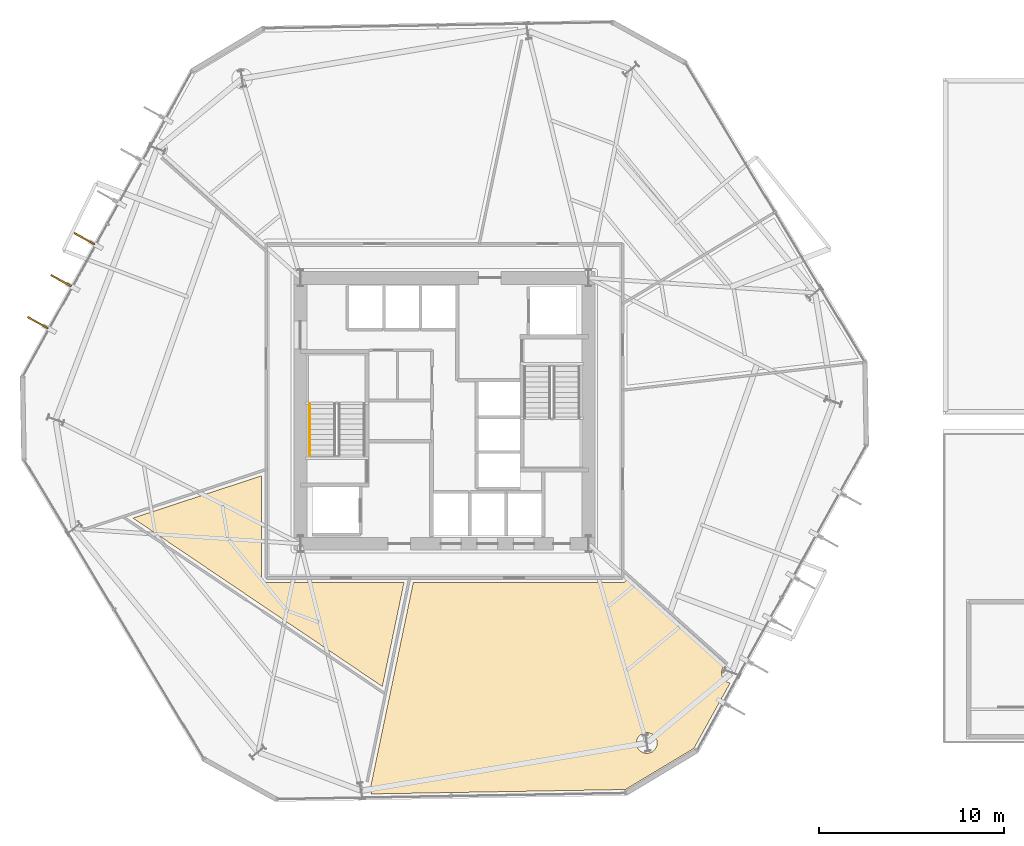
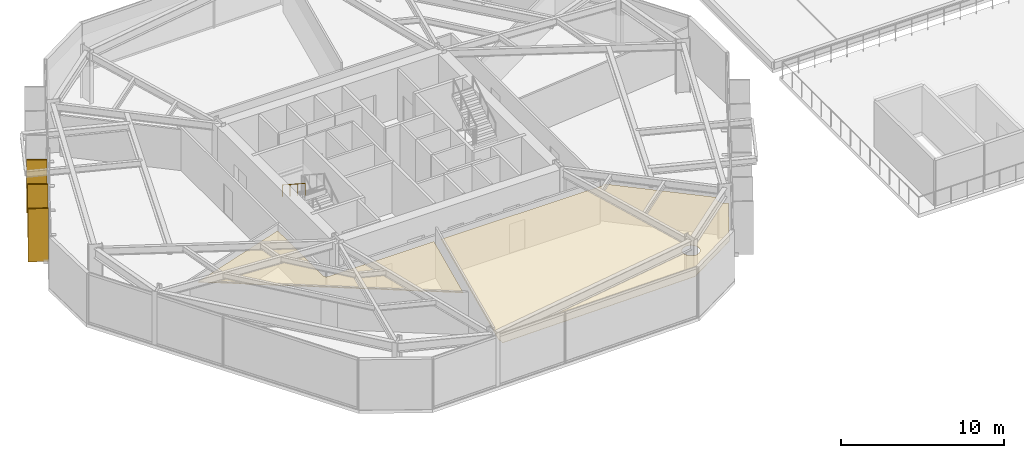
# One storey, part 9 of 11: 5 coverings, 3 shading devices, 1 railing.
"""IFC4 building model written with IfcOpenShell, lengths in metres."""

from ifc_helpers import new_model, si_unit, direction, frame, origin, origin_2d, place, context, subcontext, project, spatial, polyline, rectangle, circle, outline, extrude, material, layer, layer_set, type_object, element, save


model = new_model("IFC4")

# Units and contexts
model_context = context("Model", 3, precision=1e-05, world=origin(), true_north=direction((0.0, 1.0)))
body_context = subcontext(model_context, "Body", "Model", "MODEL_VIEW")
ifc_project = project(units=[si_unit("LENGTHUNIT", "METRE"), si_unit("AREAUNIT", "SQUARE_METRE"), si_unit("VOLUMEUNIT", "CUBIC_METRE"), si_unit("PLANEANGLEUNIT", "RADIAN"), si_unit("MASSUNIT", "GRAM", prefix="KILO")], contexts=[model_context])

# Site, building, storey
site_placement = place(None, origin())
site = spatial("IfcSite", under=ifc_project, at=site_placement, CompositionType="ELEMENT")
building_placement = place(site_placement, origin())
building = spatial("IfcBuilding", under=site, at=building_placement, Name="Kranzbogen Civic Tower", CompositionType="ELEMENT")
storey_placement = place(building_placement, frame((0.0, 0.0, 24.0)))
storey = spatial("IfcBuildingStorey", under=building, at=storey_placement, Name="L05", CompositionType="ELEMENT", Elevation=24.0)

# Coverings
ifc_material_1 = material(Name="Pale Anodised Aluminium", Category="aluminium")
ifc_layer_1 = layer(ifc_material_1, 0.02490234375, Name="Pale Anodised Aluminium")
ifc_layer_set_1 = layer_set([ifc_layer_1], Name="Pale Anodised Aluminium")
covering_type_1 = type_object("IfcCoveringType", Name="Anodised Aluminium Vertical Fin Cladding 25 mm", PredefinedType="CLADDING", material=ifc_layer_set_1)
for number, where, z_axis, x_axis, name in (
    (1, (5.5, 34.322998046875, -0.139892578125), (0.0, 0.0, 1.0), (-0.874619707139, 0.484809620246, 0.0), "L05 vertical fin pale-metal cladding F3-4"),
    (2, (4.239013671875, 32.049072265625, -0.139892578125), (0.0, 0.0, 1.0), (-0.874619707139, 0.484809620246, 0.0), "L05 vertical fin pale-metal cladding F3-5"),
    (3, (2.97900390625, 29.77490234375, -0.139892578125), (0.0, 0.0, 1.0), (-0.874619707139, 0.484809620246, 0.0), "L05 vertical fin pale-metal cladding F3-6"),
):
    element("IfcCovering", number, at=place(storey_placement, frame(where, z_axis=z_axis, x_axis=x_axis)), inside=storey, type_object=covering_type_1, Name=name, PredefinedType="CLADDING", context=body_context, shape_type="SweptSolid", body=[
        extrude(rectangle(XDim=1.25, YDim=0.10009765625, at=origin_2d()), origin(), (0.0, 0.0, 1.0), 3.9599609375),
    ])

# Shading devices
ifc_material_2 = material(Name="Anodised Bronze Aluminium", Category="aluminium")
shading_device_type = type_object("IfcShadingDeviceType", Name="Anodised Bronze Vertical Facade Fin 1250x80", PredefinedType="USERDEFINED", material=ifc_material_2)
for number, where, z_axis, x_axis, name in (
    (4, (5.5, 34.322998046875, -0.139892578125), (0.0, 0.0, 1.0), (-0.874619707139, 0.484809620246, 0.0), "L05 vertical exterior shading fin F3-4"),
    (5, (4.239013671875, 32.049072265625, -0.139892578125), (0.0, 0.0, 1.0), (-0.874619707139, 0.484809620246, 0.0), "L05 vertical exterior shading fin F3-5"),
    (6, (2.97900390625, 29.77490234375, -0.139892578125), (0.0, 0.0, 1.0), (-0.874619707139, 0.484809620246, 0.0), "L05 vertical exterior shading fin F3-6"),
):
    element("IfcShadingDevice", number, at=place(storey_placement, frame(where, z_axis=z_axis, x_axis=x_axis)), inside=storey, type_object=shading_device_type, Name=name, ObjectType="FIN", PredefinedType="USERDEFINED", context=body_context, shape_type="SweptSolid", body=[
        extrude(rectangle(XDim=1.25, YDim=0.080078125, at=origin_2d()), origin(), (0.0, 0.0, 1.0), 3.9599609375),
    ])

# Coverings
ifc_material_3 = material(Name="Perforated Acoustic Gypsum Ceiling")
ifc_layer_2 = layer(ifc_material_3, 0.02490234375, Name="Perforated Acoustic Gypsum Ceiling")
ifc_layer_set_2 = layer_set([ifc_layer_2], Name="Perforated Acoustic Gypsum Ceiling")
covering_type_2 = type_object("IfcCoveringType", Name="Perforated Acoustic Mineral Ceiling Tile 25 mm", PredefinedType="CEILING", material=ifc_layer_set_2)
covering_1_placement = place(storey_placement, frame((0.0, 0.0, 2.89990234375)))
element("IfcCovering", 7, at=covering_1_placement, inside=storey, type_object=covering_type_2, Name="L05 Ministerial Policy Office acoustic ceiling", PredefinedType="CEILING", context=body_context, shape_type="SweptSolid", body=[
    extrude(outline(polyline([(15.10498046875, 15.949951171875), (15.10498046875, 15.94091796875), (15.10595703125, 15.93505859375), (15.10693359375, 15.9169921875), (15.10791015625, 15.910888671875), (15.112060546875, 15.89404296875), (15.113037109375, 15.886962890625), (15.117919921875, 15.8701171875), (15.1201171875, 15.864013671875), (15.126953125, 15.847900390625), (15.1298828125, 15.842041015625), (15.137939453125, 15.826904296875), (15.14208984375, 15.821044921875), (15.15087890625, 15.806884765625), (15.155029296875, 15.802001953125), (15.166015625, 15.7880859375), (15.1708984375, 15.782958984375), (15.18310546875, 15.77099609375), (15.18798828125, 15.76611328125), (15.201904296875, 15.7548828125), (15.20703125, 15.7509765625), (15.220947265625, 15.741943359375), (15.22705078125, 15.738037109375), (15.241943359375, 15.72998046875), (15.248046875, 15.72705078125), (15.263916015625, 15.719970703125), (15.27001953125, 15.718017578125), (15.287109375, 15.712890625), (15.2939453125, 15.7119140625), (15.31103515625, 15.7080078125), (15.31689453125, 15.70703125), (15.3349609375, 15.7060546875), (15.341064453125, 15.705078125), (15.35009765625, 15.705078125), (22.81103515625, 15.705078125), (21.635986328125, 10.070068359375), (8.134033203125, 19.18994140625), (15.10498046875, 21.485107421875), (15.10498046875, 15.949951171875)])), origin(), (0.0, 0.0, 1.0), 0.025146484375),
])
covering_2_placement = place(storey_placement, frame((0.0, 0.0, 2.89990234375)))
element("IfcCovering", 8, at=covering_2_placement, inside=storey, type_object=covering_type_2, Name="L05 Legal Counsel Office acoustic ceiling", PredefinedType="CEILING", context=body_context, shape_type="SweptSolid", body=[
    extrude(outline(polyline([(40.126953125, 11.156005859375), (40.10205078125, 11.1220703125), (40.073974609375, 11.074951171875), (40.050048828125, 11.02490234375), (40.031982421875, 10.972900390625), (40.01806640625, 10.919921875), (40.010009765625, 10.865966796875), (40.008056640625, 10.81103515625), (40.010009765625, 10.756103515625), (40.01806640625, 10.701904296875), (40.031982421875, 10.64892578125), (40.050048828125, 10.596923828125), (40.073974609375, 10.547119140625), (40.10205078125, 10.5), (40.135009765625, 10.4560546875), (40.1708984375, 10.4150390625), (40.2119140625, 10.37890625), (40.256103515625, 10.345947265625), (40.302978515625, 10.318115234375), (40.35302734375, 10.2939453125), (40.405029296875, 10.27587890625), (40.4580078125, 10.261962890625), (40.468994140625, 10.260986328125), (38.507080078125, 6.720947265625), (34.798095703125, 4.491943359375), (21.027099609375, 4.251953125), (21.030029296875, 4.261962890625), (21.0439453125, 4.31494140625), (21.052001953125, 4.368896484375), (21.053955078125, 4.424072265625), (21.052001953125, 4.47900390625), (21.0439453125, 4.532958984375), (21.030029296875, 4.5859375), (21.011962890625, 4.637939453125), (21.007080078125, 4.64892578125), (23.31201171875, 15.705078125), (34.64990234375, 15.705078125), (34.658935546875, 15.705078125), (34.6650390625, 15.7060546875), (34.68310546875, 15.70703125), (34.68896484375, 15.7080078125), (34.7060546875, 15.7119140625), (34.712890625, 15.712890625), (34.72998046875, 15.718017578125), (34.736083984375, 15.719970703125), (34.751953125, 15.72705078125), (34.758056640625, 15.72998046875), (34.77294921875, 15.738037109375), (34.779052734375, 15.741943359375), (34.79296875, 15.7509765625), (34.798095703125, 15.7548828125), (34.81201171875, 15.76611328125), (34.81689453125, 15.77099609375), (34.8291015625, 15.782958984375), (34.833984375, 15.7880859375), (34.844970703125, 15.802001953125), (34.84912109375, 15.806884765625), (34.85791015625, 15.821044921875), (34.862060546875, 15.826904296875), (34.8701171875, 15.842041015625), (34.873046875, 15.847900390625), (34.8740234375, 15.85009765625), (40.126953125, 11.156005859375)]), holes=[polyline([(36.47509765625, 6.798095703125), (36.450927734375, 6.748046875), (36.423095703125, 6.700927734375), (36.389892578125, 6.656982421875), (36.35400390625, 6.615966796875), (36.31298828125, 6.580078125), (36.26904296875, 6.547119140625), (36.221923828125, 6.51904296875), (36.172119140625, 6.4951171875), (36.1201171875, 6.47705078125), (36.06689453125, 6.462890625), (36.012939453125, 6.455078125), (35.9580078125, 6.452880859375), (35.903076171875, 6.455078125), (35.84912109375, 6.462890625), (35.7958984375, 6.47705078125), (35.743896484375, 6.4951171875), (35.694091796875, 6.51904296875), (35.64697265625, 6.547119140625), (35.60302734375, 6.580078125), (35.56201171875, 6.615966796875), (35.52587890625, 6.656982421875), (35.492919921875, 6.700927734375), (35.465087890625, 6.748046875), (35.44091796875, 6.798095703125), (35.423095703125, 6.85009765625), (35.408935546875, 6.903076171875), (35.40087890625, 6.95703125), (35.39892578125, 7.011962890625), (35.40087890625, 7.06689453125), (35.408935546875, 7.12109375), (35.423095703125, 7.174072265625), (35.44091796875, 7.22607421875), (35.465087890625, 7.27587890625), (35.492919921875, 7.322998046875), (35.52587890625, 7.366943359375), (35.56201171875, 7.407958984375), (35.60302734375, 7.444091796875), (35.64697265625, 7.47705078125), (35.694091796875, 7.5048828125), (35.743896484375, 7.529052734375), (35.7958984375, 7.547119140625), (35.84912109375, 7.56103515625), (35.903076171875, 7.569091796875), (35.9580078125, 7.571044921875), (36.012939453125, 7.569091796875), (36.06689453125, 7.56103515625), (36.1201171875, 7.547119140625), (36.172119140625, 7.529052734375), (36.221923828125, 7.5048828125), (36.26904296875, 7.47705078125), (36.31298828125, 7.444091796875), (36.35400390625, 7.407958984375), (36.389892578125, 7.366943359375), (36.423095703125, 7.322998046875), (36.450927734375, 7.27587890625), (36.47509765625, 7.22607421875), (36.492919921875, 7.174072265625), (36.507080078125, 7.12109375), (36.514892578125, 7.06689453125), (36.51708984375, 7.011962890625), (36.514892578125, 6.95703125), (36.507080078125, 6.903076171875), (36.492919921875, 6.85009765625), (36.47509765625, 6.798095703125)])]), origin(), (0.0, 0.0, 1.0), 0.025146484375),
])

# Railing
railing_type = type_object("IfcRailingType", Name="Tubular Stainless Stair Wall Handrail 900", PredefinedType="HANDRAIL", material=ifc_material_1)
railing_placement = place(storey_placement, frame((17.699951171875, 25.39990234375, 2.181884765625)))
element("IfcRailing", 9, at=railing_placement, inside=storey, type_object=railing_type, Name="L05 ST-T1 stair handrail 2", PredefinedType="HANDRAIL", context=body_context, shape_type="SweptSolid", body=[
    extrude(circle(Radius=0.02392578125, at=origin_2d()), frame((0.0, 0.0, 0.8759765625), z_axis=(0.0, -0.83868413941, 0.544618136222), x_axis=(1.0, 0.0, 0.0)), (0.0, 0.0, 1.0), 3.33837890625),
    extrude(circle(Radius=0.02099609375, at=origin_2d()), origin(), (0.0, 0.0, 1.0), 0.851806640625),
    extrude(circle(Radius=0.02099609375, at=origin_2d()), frame((0.0, -0.933349609375, 0.60595703125)), (0.0, 0.0, 1.0), 0.851806640625),
    extrude(circle(Radius=0.02099609375, at=origin_2d()), frame((0.0, -1.866455078125, 1.212158203125)), (0.0, 0.0, 1.0), 0.851806640625),
    extrude(circle(Radius=0.02099609375, at=origin_2d()), frame((0.0, -2.7998046875, 1.818115234375)), (0.0, 0.0, 1.0), 0.851806640625),
])

save(model, "model.ifc")
